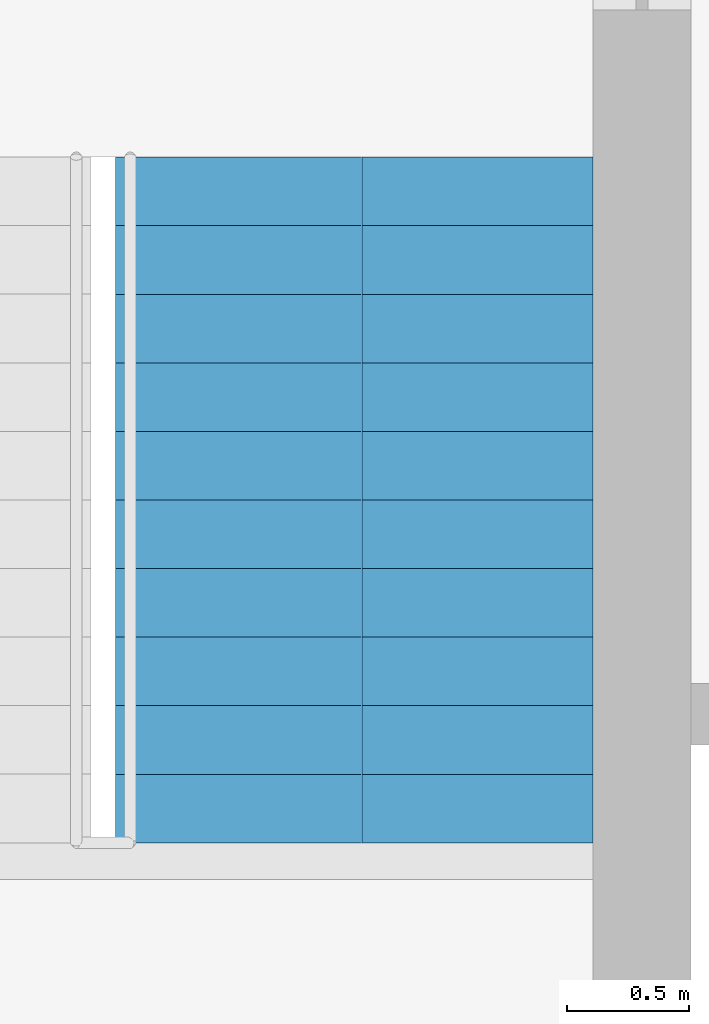
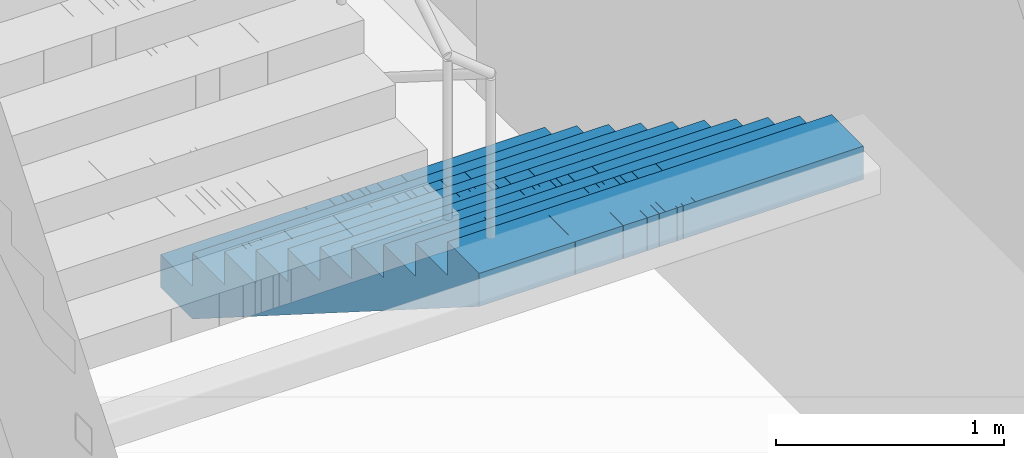
# One storey, part 19 of 20: 1 stair flight, 1 element without a shape of its own.
"""IFC4 building model written with IfcOpenShell, lengths in metres."""

from ifc_helpers import new_model, si_unit, direction, frame, origin, place, context, subcontext, project, spatial, polyline, outline, extrude, material, type_object, element, aggregate, save


model = new_model("IFC4")

# Units and contexts
model_context = context("Model", 3, precision=1e-05, world=origin(), true_north=direction((0.0, 1.0)))
body_context = subcontext(model_context, "Body", "Model", "MODEL_VIEW")
ifc_project = project(units=[si_unit("LENGTHUNIT", "METRE"), si_unit("AREAUNIT", "SQUARE_METRE"), si_unit("VOLUMEUNIT", "CUBIC_METRE"), si_unit("PLANEANGLEUNIT", "RADIAN"), si_unit("MASSUNIT", "GRAM", prefix="KILO")], contexts=[model_context])

# Site, building, storey
site_placement = place(None, origin())
site = spatial("IfcSite", under=ifc_project, at=site_placement, CompositionType="ELEMENT")
building_placement = place(site_placement, origin())
building = spatial("IfcBuilding", under=site, at=building_placement, Name="Mizan Broadcast Tower", CompositionType="ELEMENT")
storey_placement = place(building_placement, frame((0.0, 0.0, 151.5)))
storey = spatial("IfcBuildingStorey", under=building, at=storey_placement, Name="L34", CompositionType="ELEMENT", Elevation=151.5)

# Stair, stair flight
ifc_material_1 = material(Name="Concrete C40/50", Category="concrete")
stair_type = type_object("IfcStairType", Name="EXIT STAIR", PredefinedType="HALF_TURN_STAIR", material=ifc_material_1)
stair_placement = place(storey_placement, origin())
stair = element("IfcStair", 1, at=stair_placement, inside=storey, type_object=stair_type, Name="Stair B L34", PredefinedType="HALF_TURN_STAIR")
ifc_material_2 = material(Name="Concrete C40/50", Category="concrete")
stair_flight_type = type_object("IfcStairFlightType", Name="EXIT STAIR FLIGHT", PredefinedType="STRAIGHT", material=ifc_material_2)
stair_flight_placement = place(storey_placement, frame((1.02490234375, 7.89990234375, 0.0), z_axis=(0.0, 0.0, 1.0), x_axis=(0.0, -1.0, 0.0)))
stair_flight = element("IfcStairFlight", 2, at=stair_flight_placement, type_object=stair_flight_type, Name="B flight 1", NumberOfRisers=11, NumberOfTreads=10, PredefinedType="STRAIGHT", RiserHeight=0.177272727, TreadLength=0.28, context=body_context, shape_type="SweptSolid", body=[
    extrude(outline(polyline([(0.0, 0.0), (0.0, 0.17724609375), (0.280029296875, 0.17724609375), (0.280029296875, 0.3544921875), (0.56005859375, 0.3544921875), (0.56005859375, 0.53173828125), (0.840087890625, 0.53173828125), (0.840087890625, 0.708984375), (1.1201171875, 0.708984375), (1.1201171875, 0.886474609375), (1.39990234375, 0.886474609375), (1.39990234375, 1.063720703125), (1.679931640625, 1.063720703125), (1.679931640625, 1.240966796875), (1.9599609375, 1.240966796875), (1.9599609375, 1.418212890625), (2.239990234375, 1.418212890625), (2.239990234375, 1.595458984375), (2.52001953125, 1.595458984375), (2.52001953125, 1.772705078125), (2.800048828125, 1.772705078125), (2.800048828125, 1.949951171875), (2.800048828125, 1.59521484375), (0.2802734375, 0.0), (0.0, 0.0)])), frame((0.0, 0.97509765625, 0.0), z_axis=(0.0, -1.0, 0.0), x_axis=(1.0, 0.0, 0.0)), (0.0, 0.0, 1.0), 0.4873046875),
    extrude(outline(polyline([(0.0, 0.0), (0.0, 0.17724609375), (0.280029296875, 0.17724609375), (0.280029296875, 0.3544921875), (0.56005859375, 0.3544921875), (0.56005859375, 0.53173828125), (0.840087890625, 0.53173828125), (0.840087890625, 0.708984375), (1.1201171875, 0.708984375), (1.1201171875, 0.886474609375), (1.39990234375, 0.886474609375), (1.39990234375, 1.063720703125), (1.679931640625, 1.063720703125), (1.679931640625, 1.240966796875), (1.9599609375, 1.240966796875), (1.9599609375, 1.418212890625), (2.239990234375, 1.418212890625), (2.239990234375, 1.595458984375), (2.52001953125, 1.595458984375), (2.52001953125, 1.772705078125), (2.800048828125, 1.772705078125), (2.800048828125, 1.949951171875), (2.800048828125, 1.59521484375), (0.2802734375, 0.0), (0.0, 0.0)])), frame((0.0, 0.4873046875, 0.0), z_axis=(0.0, -1.0, 0.0), x_axis=(1.0, 0.0, 0.0)), (0.0, 0.0, 1.0), 0.2431640625),
    extrude(outline(polyline([(0.0, 0.0), (0.0, 0.17724609375), (0.280029296875, 0.17724609375), (0.280029296875, 0.3544921875), (0.56005859375, 0.3544921875), (0.56005859375, 0.53173828125), (0.840087890625, 0.53173828125), (0.840087890625, 0.708984375), (1.1201171875, 0.708984375), (1.1201171875, 0.886474609375), (1.39990234375, 0.886474609375), (1.39990234375, 1.063720703125), (1.679931640625, 1.063720703125), (1.679931640625, 1.240966796875), (1.9599609375, 1.240966796875), (1.9599609375, 1.418212890625), (2.239990234375, 1.418212890625), (2.239990234375, 1.595458984375), (2.52001953125, 1.595458984375), (2.52001953125, 1.772705078125), (2.800048828125, 1.772705078125), (2.800048828125, 1.949951171875), (2.800048828125, 1.59521484375), (0.2802734375, 0.0), (0.0, 0.0)])), frame((0.0, 0.24365234375, 0.0), z_axis=(0.0, -1.0, 0.0), x_axis=(1.0, 0.0, 0.0)), (0.0, 0.0, 1.0), 0.121337890625),
    extrude(outline(polyline([(0.0, 0.0), (0.0, 0.17724609375), (0.280029296875, 0.17724609375), (0.280029296875, 0.3544921875), (0.56005859375, 0.3544921875), (0.56005859375, 0.53173828125), (0.840087890625, 0.53173828125), (0.840087890625, 0.708984375), (1.1201171875, 0.708984375), (1.1201171875, 0.886474609375), (1.39990234375, 0.886474609375), (1.39990234375, 1.063720703125), (1.679931640625, 1.063720703125), (1.679931640625, 1.240966796875), (1.9599609375, 1.240966796875), (1.9599609375, 1.418212890625), (2.239990234375, 1.418212890625), (2.239990234375, 1.595458984375), (2.52001953125, 1.595458984375), (2.52001953125, 1.772705078125), (2.800048828125, 1.772705078125), (2.800048828125, 1.949951171875), (2.800048828125, 1.59521484375), (0.2802734375, 0.0), (0.0, 0.0)])), frame((0.0, 0.121826171875, 0.0), z_axis=(0.0, -1.0, 0.0), x_axis=(1.0, 0.0, 0.0)), (0.0, 0.0, 1.0), 0.060546875),
    extrude(outline(polyline([(0.0, 0.0), (0.0, 0.17724609375), (0.280029296875, 0.17724609375), (0.280029296875, 0.3544921875), (0.56005859375, 0.3544921875), (0.56005859375, 0.53173828125), (0.840087890625, 0.53173828125), (0.840087890625, 0.708984375), (1.1201171875, 0.708984375), (1.1201171875, 0.886474609375), (1.39990234375, 0.886474609375), (1.39990234375, 1.063720703125), (1.679931640625, 1.063720703125), (1.679931640625, 1.240966796875), (1.9599609375, 1.240966796875), (1.9599609375, 1.418212890625), (2.239990234375, 1.418212890625), (2.239990234375, 1.595458984375), (2.52001953125, 1.595458984375), (2.52001953125, 1.772705078125), (2.800048828125, 1.772705078125), (2.800048828125, 1.949951171875), (2.800048828125, 1.59521484375), (0.2802734375, 0.0), (0.0, 0.0)])), frame((0.0, 0.060791015625, 0.0), z_axis=(0.0, -1.0, 0.0), x_axis=(1.0, 0.0, 0.0)), (0.0, 0.0, 1.0), 0.030029296875),
    extrude(outline(polyline([(0.0, 0.0), (0.0, 0.17724609375), (0.280029296875, 0.17724609375), (0.280029296875, 0.3544921875), (0.56005859375, 0.3544921875), (0.56005859375, 0.53173828125), (0.840087890625, 0.53173828125), (0.840087890625, 0.708984375), (1.1201171875, 0.708984375), (1.1201171875, 0.886474609375), (1.39990234375, 0.886474609375), (1.39990234375, 1.063720703125), (1.679931640625, 1.063720703125), (1.679931640625, 1.240966796875), (1.9599609375, 1.240966796875), (1.9599609375, 1.418212890625), (2.239990234375, 1.418212890625), (2.239990234375, 1.595458984375), (2.52001953125, 1.595458984375), (2.52001953125, 1.772705078125), (2.800048828125, 1.772705078125), (2.800048828125, 1.949951171875), (2.800048828125, 1.59521484375), (0.2802734375, 0.0), (0.0, 0.0)])), frame((0.0, 0.0302734375, 0.0), z_axis=(0.0, -1.0, 0.0), x_axis=(1.0, 0.0, 0.0)), (0.0, 0.0, 1.0), 0.060302734375),
    extrude(outline(polyline([(0.0, 0.0), (0.0, 0.17724609375), (0.280029296875, 0.17724609375), (0.280029296875, 0.3544921875), (0.56005859375, 0.3544921875), (0.56005859375, 0.53173828125), (0.840087890625, 0.53173828125), (0.840087890625, 0.708984375), (1.1201171875, 0.708984375), (1.1201171875, 0.886474609375), (1.39990234375, 0.886474609375), (1.39990234375, 1.063720703125), (1.679931640625, 1.063720703125), (1.679931640625, 1.240966796875), (1.9599609375, 1.240966796875), (1.9599609375, 1.418212890625), (2.239990234375, 1.418212890625), (2.239990234375, 1.595458984375), (2.52001953125, 1.595458984375), (2.52001953125, 1.772705078125), (2.800048828125, 1.772705078125), (2.800048828125, 1.949951171875), (2.800048828125, 1.59521484375), (0.2802734375, 0.0), (0.0, 0.0)])), frame((0.0, -0.030517578125, 0.0), z_axis=(0.0, -1.0, 0.0), x_axis=(1.0, 0.0, 0.0)), (0.0, 0.0, 1.0), 0.030029296875),
    extrude(outline(polyline([(0.0, 0.0), (0.0, 0.17724609375), (0.280029296875, 0.17724609375), (0.280029296875, 0.3544921875), (0.56005859375, 0.3544921875), (0.56005859375, 0.53173828125), (0.840087890625, 0.53173828125), (0.840087890625, 0.708984375), (1.1201171875, 0.708984375), (1.1201171875, 0.886474609375), (1.39990234375, 0.886474609375), (1.39990234375, 1.063720703125), (1.679931640625, 1.063720703125), (1.679931640625, 1.240966796875), (1.9599609375, 1.240966796875), (1.9599609375, 1.418212890625), (2.239990234375, 1.418212890625), (2.239990234375, 1.595458984375), (2.52001953125, 1.595458984375), (2.52001953125, 1.772705078125), (2.800048828125, 1.772705078125), (2.800048828125, 1.949951171875), (2.800048828125, 1.59521484375), (0.2802734375, 0.0), (0.0, 0.0)])), frame((0.0, -0.06103515625, 0.0), z_axis=(0.0, -1.0, 0.0), x_axis=(1.0, 0.0, 0.0)), (0.0, 0.0, 1.0), 0.060546875),
    extrude(outline(polyline([(0.0, 0.0), (0.0, 0.17724609375), (0.280029296875, 0.17724609375), (0.280029296875, 0.3544921875), (0.56005859375, 0.3544921875), (0.56005859375, 0.53173828125), (0.840087890625, 0.53173828125), (0.840087890625, 0.708984375), (1.1201171875, 0.708984375), (1.1201171875, 0.886474609375), (1.39990234375, 0.886474609375), (1.39990234375, 1.063720703125), (1.679931640625, 1.063720703125), (1.679931640625, 1.240966796875), (1.9599609375, 1.240966796875), (1.9599609375, 1.418212890625), (2.239990234375, 1.418212890625), (2.239990234375, 1.595458984375), (2.52001953125, 1.595458984375), (2.52001953125, 1.772705078125), (2.800048828125, 1.772705078125), (2.800048828125, 1.949951171875), (2.800048828125, 1.59521484375), (0.2802734375, 0.0), (0.0, 0.0)])), frame((0.0, -0.1220703125, 0.0), z_axis=(0.0, -1.0, 0.0), x_axis=(1.0, 0.0, 0.0)), (0.0, 0.0, 1.0), 0.121337890625),
    extrude(outline(polyline([(0.0, 0.0), (0.0, 0.17724609375), (0.280029296875, 0.17724609375), (0.280029296875, 0.3544921875), (0.56005859375, 0.3544921875), (0.56005859375, 0.53173828125), (0.840087890625, 0.53173828125), (0.840087890625, 0.708984375), (1.1201171875, 0.708984375), (1.1201171875, 0.886474609375), (1.39990234375, 0.886474609375), (1.39990234375, 1.063720703125), (1.679931640625, 1.063720703125), (1.679931640625, 1.240966796875), (1.9599609375, 1.240966796875), (1.9599609375, 1.418212890625), (2.239990234375, 1.418212890625), (2.239990234375, 1.595458984375), (2.52001953125, 1.595458984375), (2.52001953125, 1.772705078125), (2.800048828125, 1.772705078125), (2.800048828125, 1.949951171875), (2.800048828125, 1.59521484375), (0.2802734375, 0.0), (0.0, 0.0)])), frame((0.0, -0.243896484375, 0.0), z_axis=(0.0, -1.0, 0.0), x_axis=(1.0, 0.0, 0.0)), (0.0, 0.0, 1.0), 0.2431640625),
    extrude(outline(polyline([(0.0, 0.0), (0.0, 0.17724609375), (0.280029296875, 0.17724609375), (0.280029296875, 0.3544921875), (0.56005859375, 0.3544921875), (0.56005859375, 0.53173828125), (0.840087890625, 0.53173828125), (0.840087890625, 0.708984375), (1.1201171875, 0.708984375), (1.1201171875, 0.886474609375), (1.39990234375, 0.886474609375), (1.39990234375, 1.063720703125), (1.679931640625, 1.063720703125), (1.679931640625, 1.240966796875), (1.9599609375, 1.240966796875), (1.9599609375, 1.418212890625), (2.239990234375, 1.418212890625), (2.239990234375, 1.595458984375), (2.52001953125, 1.595458984375), (2.52001953125, 1.772705078125), (2.800048828125, 1.772705078125), (2.800048828125, 1.949951171875), (2.800048828125, 1.59521484375), (0.2802734375, 0.0), (0.0, 0.0)])), frame((0.0, -0.487548828125, 0.0), z_axis=(0.0, -1.0, 0.0), x_axis=(1.0, 0.0, 0.0)), (0.0, 0.0, 1.0), 0.4873046875),
])
aggregate(stair, [stair_flight])

save(model, "model.ifc")
